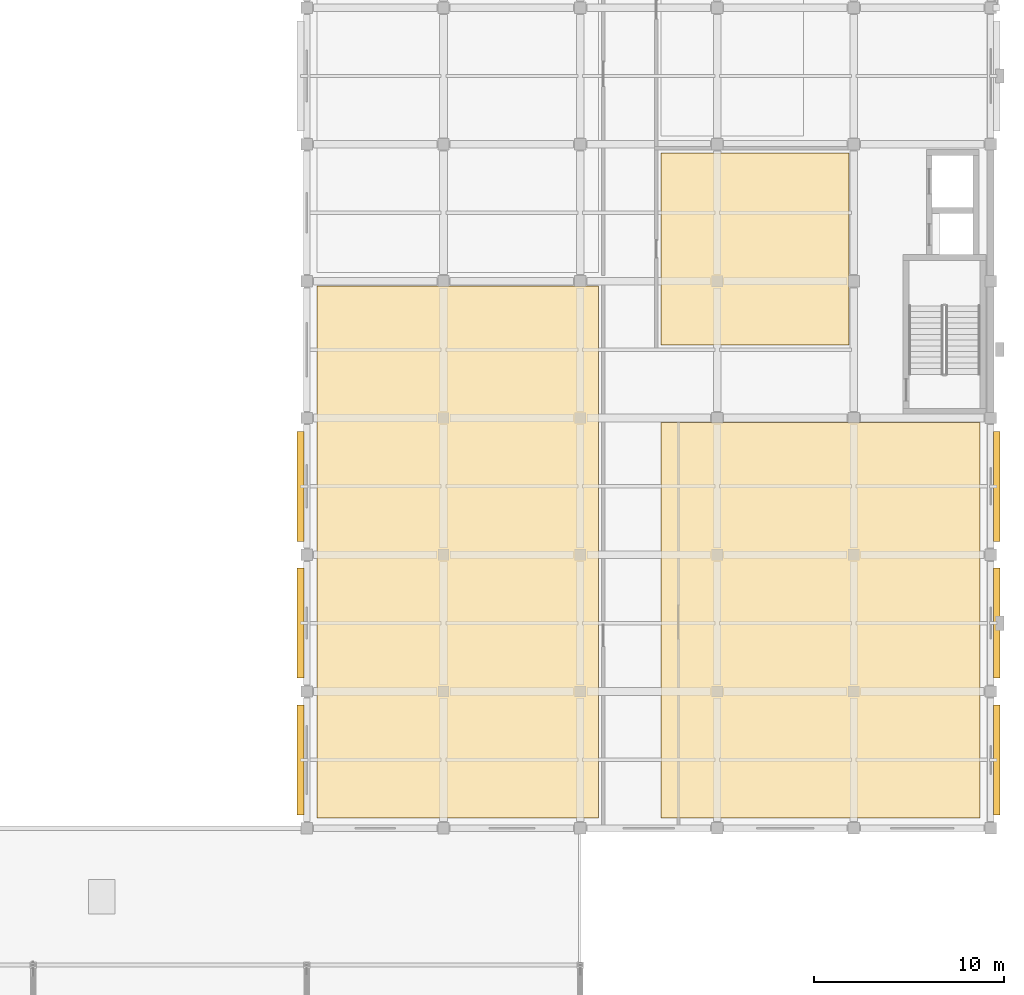
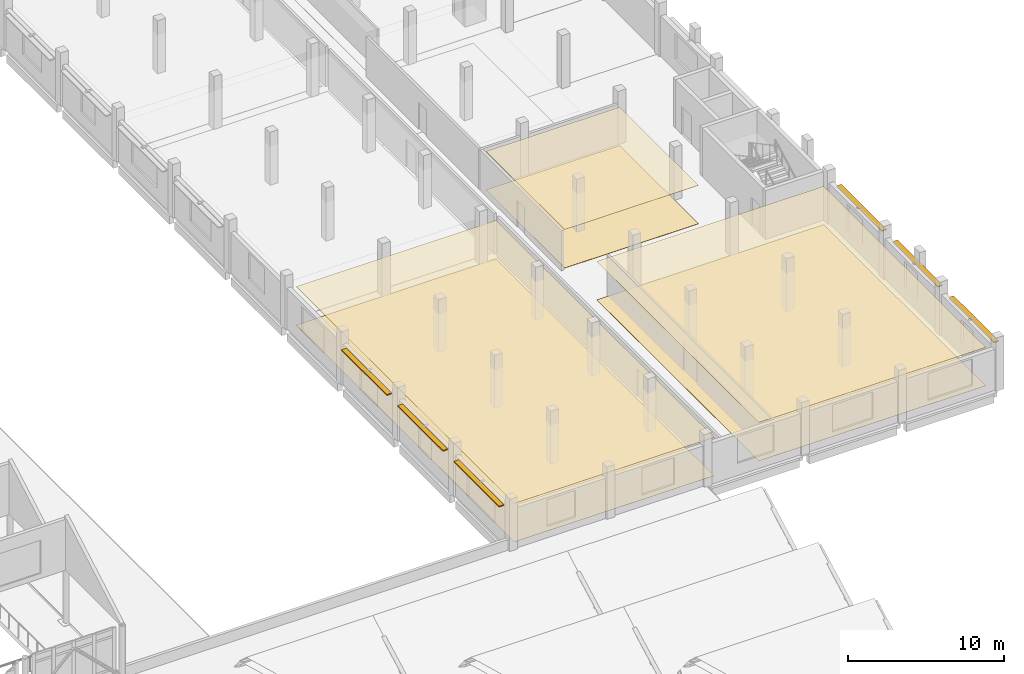
# One storey, part 60 of 62: 6 coverings, 6 shading devices.
"""IFC4 building model written with IfcOpenShell, lengths in metres."""

from ifc_helpers import new_model, si_unit, direction, frame, origin, origin_2d, place, context, subcontext, project, spatial, polyline, rectangle, outline, extrude, material, layer, layer_set, type_object, element, save


model = new_model("IFC4")

# Units and contexts
model_context = context("Model", 3, precision=1e-05, world=origin(), true_north=direction((0.0, 1.0)))
body_context = subcontext(model_context, "Body", "Model", "MODEL_VIEW")
ifc_project = project(units=[si_unit("LENGTHUNIT", "METRE"), si_unit("AREAUNIT", "SQUARE_METRE"), si_unit("VOLUMEUNIT", "CUBIC_METRE"), si_unit("PLANEANGLEUNIT", "RADIAN"), si_unit("MASSUNIT", "GRAM", prefix="KILO")], contexts=[model_context])

# Site, building, storey
site_placement = place(None, origin())
site = spatial("IfcSite", under=ifc_project, at=site_placement, CompositionType="ELEMENT")
building_placement = place(site_placement, origin())
building = spatial("IfcBuilding", under=site, at=building_placement, Name="Valkovuoma Quantum and Materials Research Institute", CompositionType="ELEMENT")
storey_placement = place(building_placement, frame((0.0, 0.0, 13.1201171875)))
storey = spatial("IfcBuildingStorey", under=building, at=storey_placement, Name="L03", CompositionType="ELEMENT", Elevation=13.1201171875)

# Coverings
ifc_material_1 = material(Name="Cleanable acoustic mineral-fibre suspended ceiling", Category="masonry")
ifc_layer_1 = layer(ifc_material_1, 0.02490234375)
ifc_layer_set_1 = layer_set([ifc_layer_1], Name="Cleanable acoustic mineral-fibre suspended ceiling")
covering_type_1 = type_object("IfcCoveringType", Name="Cov-CEIL-01", PredefinedType="CEILING", material=ifc_layer_set_1)
covering_1_placement = place(storey_placement, frame((0.0, 0.0, 3.0)))
element("IfcCovering", 1, at=covering_1_placement, inside=storey, type_object=covering_type_1, Name="L03 acoustic ceiling 0097", PredefinedType="CEILING", context=body_context, shape_type="SweptSolid", body=[
    extrude(outline(polyline([(130.14990234375, 36.550048828125), (144.949951171875, 36.550048828125), (144.949951171875, 64.550048828125), (130.14990234375, 64.550048828125), (130.14990234375, 36.550048828125)])), origin(), (0.0, 0.0, 1.0), 0.02490234375),
])
covering_2_placement = place(storey_placement, frame((0.0, 0.0, 3.0)))
element("IfcCovering", 2, at=covering_2_placement, inside=storey, type_object=covering_type_1, Name="L03 acoustic ceiling 0100", PredefinedType="CEILING", context=body_context, shape_type="SweptSolid", body=[
    extrude(outline(polyline([(148.25, 36.550048828125), (165.050048828125, 36.550048828125), (165.050048828125, 57.35009765625), (148.25, 57.35009765625), (148.25, 36.550048828125)])), origin(), (0.0, 0.0, 1.0), 0.02490234375),
])
covering_3_placement = place(storey_placement, frame((0.0, 0.0, 3.0)))
element("IfcCovering", 3, at=covering_3_placement, inside=storey, type_object=covering_type_1, Name="L03 acoustic ceiling 0101", PredefinedType="CEILING", context=body_context, shape_type="SweptSolid", body=[
    extrude(outline(polyline([(148.25, 61.449951171875), (158.14990234375, 61.449951171875), (158.14990234375, 71.550048828125), (148.25, 71.550048828125), (148.25, 61.449951171875)])), origin(), (0.0, 0.0, 1.0), 0.02490234375),
])
ifc_material_2 = material(Name="Seamless dissipative laboratory resin flooring", Category="masonry")
ifc_layer_2 = layer(ifc_material_2, 0.014892578125)
ifc_layer_set_2 = layer_set([ifc_layer_2], Name="Seamless dissipative laboratory resin flooring")
covering_type_2 = type_object("IfcCoveringType", Name="Cov-FLOR-01", PredefinedType="FLOORING", material=ifc_layer_set_2)
covering_4_placement = place(storey_placement, origin())
element("IfcCovering", 4, at=covering_4_placement, inside=storey, type_object=covering_type_2, Name="L03 resin flooring 0097", PredefinedType="FLOORING", context=body_context, shape_type="SweptSolid", body=[
    extrude(outline(polyline([(130.14990234375, 36.550048828125), (144.949951171875, 36.550048828125), (144.949951171875, 64.550048828125), (130.14990234375, 64.550048828125), (130.14990234375, 36.550048828125)])), origin(), (0.0, 0.0, 1.0), 0.014892578125),
])
covering_5_placement = place(storey_placement, origin())
element("IfcCovering", 5, at=covering_5_placement, inside=storey, type_object=covering_type_2, Name="L03 resin flooring 0100", PredefinedType="FLOORING", context=body_context, shape_type="SweptSolid", body=[
    extrude(outline(polyline([(148.25, 36.550048828125), (165.050048828125, 36.550048828125), (165.050048828125, 57.35009765625), (148.25, 57.35009765625), (148.25, 36.550048828125)])), origin(), (0.0, 0.0, 1.0), 0.014892578125),
])
covering_6_placement = place(storey_placement, origin())
element("IfcCovering", 6, at=covering_6_placement, inside=storey, type_object=covering_type_2, Name="L03 resin flooring 0101", PredefinedType="FLOORING", context=body_context, shape_type="SweptSolid", body=[
    extrude(outline(polyline([(148.25, 61.449951171875), (158.14990234375, 61.449951171875), (158.14990234375, 71.550048828125), (148.25, 71.550048828125), (148.25, 61.449951171875)])), origin(), (0.0, 0.0, 1.0), 0.014892578125),
])

# Shading devices
ifc_material_3 = material(Name="Powder-coated white perforated architectural aluminium panel", Category="aluminium")
ifc_layer_3 = layer(ifc_material_3, 0.050048828125)
ifc_layer_set_3 = layer_set([ifc_layer_3], Name="Powder-coated white perforated architectural aluminium panel")
shading_device_type_1 = type_object("IfcShadingDeviceType", Name="Screen-SCR-DENSE", PredefinedType="JALOUSIE", material=ifc_layer_set_3)
for number, where, z_axis, x_axis, name in (
    (7, (165.919921875, 46.800048828125, 3.009765625), (0.0, 0.0, 1.0), (1.0, 0.0, 0.0), "L03 wet-lab solar sunshade E-0049"),
    (8, (129.280029296875, 46.800048828125, 3.009765625), (0.0, 0.0, 1.0), (1.0, 0.0, 0.0), "L03 wet-lab solar sunshade W-0050"),
):
    element("IfcShadingDevice", number, at=place(storey_placement, frame(where, z_axis=z_axis, x_axis=x_axis)), inside=storey, type_object=shading_device_type_1, Name=name, PredefinedType="JALOUSIE", context=body_context, shape_type="SweptSolid", body=[
        extrude(rectangle(XDim=0.360107421875, YDim=5.800048828125, at=origin_2d()), origin(), (0.0, 0.0, 1.0), 0.080078125),
    ])
ifc_material_4 = material(Name="Powder-coated white perforated architectural aluminium panel", Category="aluminium")
ifc_layer_4 = layer(ifc_material_4, 0.050048828125)
ifc_layer_set_4 = layer_set([ifc_layer_4], Name="Powder-coated white perforated architectural aluminium panel")
shading_device_type_2 = type_object("IfcShadingDeviceType", Name="Screen-SCR-MID", PredefinedType="JALOUSIE", material=ifc_layer_set_4)
for number, where, z_axis, x_axis, name in (
    (9, (165.919921875, 54.0, 3.009765625), (0.0, 0.0, 1.0), (1.0, 0.0, 0.0), "L03 wet-lab solar sunshade E-0051"),
    (10, (129.280029296875, 54.0, 3.009765625), (0.0, 0.0, 1.0), (1.0, 0.0, 0.0), "L03 wet-lab solar sunshade W-0052"),
):
    element("IfcShadingDevice", number, at=place(storey_placement, frame(where, z_axis=z_axis, x_axis=x_axis)), inside=storey, type_object=shading_device_type_2, Name=name, PredefinedType="JALOUSIE", context=body_context, shape_type="SweptSolid", body=[
        extrude(rectangle(XDim=0.360107421875, YDim=5.800048828125, at=origin_2d()), origin(), (0.0, 0.0, 1.0), 0.080078125),
    ])
ifc_material_5 = material(Name="Powder-coated white perforated architectural aluminium panel", Category="aluminium")
ifc_layer_5 = layer(ifc_material_5, 0.050048828125)
ifc_layer_set_5 = layer_set([ifc_layer_5], Name="Powder-coated white perforated architectural aluminium panel")
shading_device_type_3 = type_object("IfcShadingDeviceType", Name="Screen-SCR-SPARSE", PredefinedType="JALOUSIE", material=ifc_layer_set_5)
for number, where, z_axis, x_axis, name in (
    (11, (165.919921875, 39.60009765625, 3.009765625), (0.0, 0.0, 1.0), (1.0, 0.0, 0.0), "L03 wet-lab solar sunshade E-0047"),
    (12, (129.280029296875, 39.60009765625, 3.009765625), (0.0, 0.0, 1.0), (1.0, 0.0, 0.0), "L03 wet-lab solar sunshade W-0048"),
):
    element("IfcShadingDevice", number, at=place(storey_placement, frame(where, z_axis=z_axis, x_axis=x_axis)), inside=storey, type_object=shading_device_type_3, Name=name, PredefinedType="JALOUSIE", context=body_context, shape_type="SweptSolid", body=[
        extrude(rectangle(XDim=0.360107421875, YDim=5.800048828125, at=origin_2d()), origin(), (0.0, 0.0, 1.0), 0.080078125),
    ])

save(model, "model.ifc")
